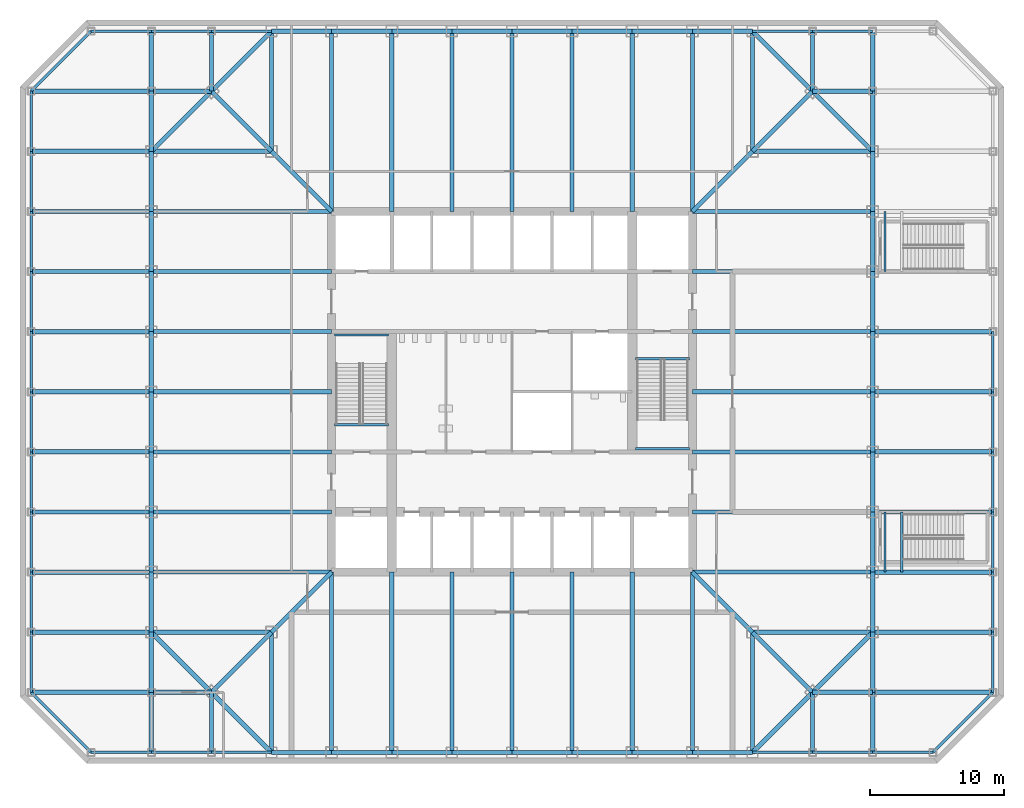
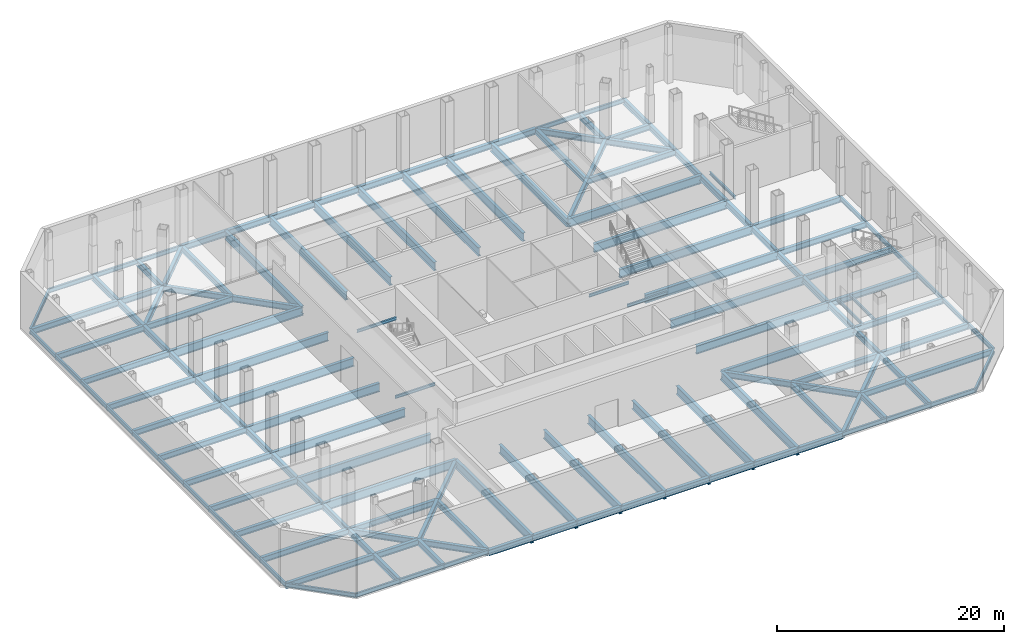
# One storey, part 4 of 12: 155 beams.
"""IFC4 building model written with IfcOpenShell, lengths in metres."""

from ifc_helpers import new_model, si_unit, direction, frame, origin, origin_2d, place, context, subcontext, project, spatial, i_section, extrude, material, material_profile, profile_set, type_object, element, save


model = new_model("IFC4")

# Units and contexts
model_context = context("Model", 3, precision=1e-05, world=origin(), true_north=direction((0.0, 1.0)))
body_context = subcontext(model_context, "Body", "Model", "MODEL_VIEW")
ifc_project = project(units=[si_unit("LENGTHUNIT", "METRE"), si_unit("AREAUNIT", "SQUARE_METRE"), si_unit("VOLUMEUNIT", "CUBIC_METRE"), si_unit("PLANEANGLEUNIT", "RADIAN"), si_unit("MASSUNIT", "GRAM", prefix="KILO")], contexts=[model_context])

# Site, building, storey
site_placement = place(None, origin())
site = spatial("IfcSite", under=ifc_project, at=site_placement, CompositionType="ELEMENT")
building_placement = place(site_placement, origin())
building = spatial("IfcBuilding", under=site, at=building_placement, Name="Corais Broadcast Tower", CompositionType="ELEMENT")
storey_placement = place(building_placement, frame((0.0, 0.0, 6.0)))
storey = spatial("IfcBuildingStorey", under=building, at=storey_placement, Name="L01", CompositionType="ELEMENT", Elevation=6.0)

# Beams
ifc_material_1 = material(Name="Steel ASTM A572 Grade 50", Category="steel")
ifc_material_profile_1 = material_profile(ifc_material_1, i_section(OverallWidth=0.323974609375, OverallDepth=0.611083984375, WebThickness=0.0126953125, FlangeThickness=0.01904296875, at=origin_2d()), Name="W610x155")
ifc_profile_set_1 = profile_set([ifc_material_profile_1], Name="Steel ASTM A572 Grade 50")
beam_type_1 = type_object("IfcBeamType", Name="Chamfer tie W610x155", PredefinedType="BEAM", material=ifc_profile_set_1)
for number, where, z_axis, x_axis, name in (
    (1, (0.0, 0.0, -0.505615234375), (0.0, 1.0, 0.0), (-1.0, 0.0, 0.0), "B5 A/3 to B/3"),
    (2, (0.0, 4.5, -0.505615234375), (0.0, 1.0, 0.0), (-1.0, 0.0, 0.0), "B5 B/3 to C/3"),
    (3, (0.0, 4.5, -0.505615234375), (1.0, 0.0, 0.0), (0.0, 1.0, 0.0), "B5 B/3 to B/4"),
    (4, (0.0, 49.5, -0.505615234375), (0.0, -1.0, 0.0), (1.0, 0.0, 0.0), "B5 M/3 to L/3"),
    (5, (0.0, 49.5, -0.505615234375), (1.0, 0.0, 0.0), (0.0, 1.0, 0.0), "B5 M/3 to M/4"),
    (6, (0.0, 54.0, -0.505615234375), (0.0, -1.0, 0.0), (1.0, 0.0, 0.0), "B5 N/3 to M/3"),
    (7, (4.5, 0.0, -0.505615234375), (0.0, 1.0, 0.0), (-1.0, 0.0, 0.0), "B5 A/4 to B/4"),
):
    element("IfcBeam", number, at=place(storey_placement, frame(where, z_axis=z_axis, x_axis=x_axis)), inside=storey, type_object=beam_type_1, Name=name, PredefinedType="BEAM", context=body_context, shape_type="SweptSolid", body=[
        extrude(i_section(OverallWidth=0.323974609375, OverallDepth=0.611083984375, WebThickness=0.0126953125, FlangeThickness=0.01904296875, at=origin_2d()), origin(), (0.0, 0.0, 1.0), 4.5),
    ])
for number, where, z_axis, x_axis, name in (
    (8, (4.5, 4.5, -0.505615234375), (0.707106781187, 0.707106781187, 0.0), (-0.707106781187, 0.707106781187, 0.0), "B5 B/4 to C/5"),
    (9, (4.5, 49.5, -0.505615234375), (0.707106781187, -0.707106781187, 0.0), (0.707106781187, 0.707106781187, 0.0), "B5 M/4 to L/5"),
):
    element("IfcBeam", number, at=place(storey_placement, frame(where, z_axis=z_axis, x_axis=x_axis)), inside=storey, type_object=beam_type_1, Name=name, PredefinedType="BEAM", context=body_context, shape_type="SweptSolid", body=[
        extrude(i_section(OverallWidth=0.323974609375, OverallDepth=0.611083984375, WebThickness=0.0126953125, FlangeThickness=0.01904296875, at=origin_2d()), origin(), (0.0, 0.0, 1.0), 6.364013671875),
    ])
for number, where, z_axis, x_axis, name in (
    (10, (4.5, 54.0, -0.505615234375), (0.0, -1.0, 0.0), (1.0, 0.0, 0.0), "B5 N/4 to M/4"),
    (11, (49.5, 0.0, -0.505615234375), (0.0, 1.0, 0.0), (-1.0, 0.0, 0.0), "B5 A/14 to B/14"),
):
    element("IfcBeam", number, at=place(storey_placement, frame(where, z_axis=z_axis, x_axis=x_axis)), inside=storey, type_object=beam_type_1, Name=name, PredefinedType="BEAM", context=body_context, shape_type="SweptSolid", body=[
        extrude(i_section(OverallWidth=0.323974609375, OverallDepth=0.611083984375, WebThickness=0.0126953125, FlangeThickness=0.01904296875, at=origin_2d()), origin(), (0.0, 0.0, 1.0), 4.5),
    ])
for number, where, z_axis, x_axis, name in (
    (12, (49.5, 4.5, -0.505615234375), (-0.707106781187, 0.707106781187, 0.0), (-0.707106781187, -0.707106781187, 0.0), "B5 B/14 to C/13"),
    (13, (49.5, 49.5, -0.505615234375), (-0.707106781187, -0.707106781187, 0.0), (0.707106781187, -0.707106781187, 0.0), "B5 M/14 to L/13"),
):
    element("IfcBeam", number, at=place(storey_placement, frame(where, z_axis=z_axis, x_axis=x_axis)), inside=storey, type_object=beam_type_1, Name=name, PredefinedType="BEAM", context=body_context, shape_type="SweptSolid", body=[
        extrude(i_section(OverallWidth=0.323974609375, OverallDepth=0.611083984375, WebThickness=0.0126953125, FlangeThickness=0.01904296875, at=origin_2d()), origin(), (0.0, 0.0, 1.0), 6.364013671875),
    ])
for number, where, z_axis, x_axis, name in (
    (14, (49.5, 54.0, -0.505615234375), (0.0, -1.0, 0.0), (1.0, 0.0, 0.0), "B5 N/14 to M/14"),
    (15, (54.0, 0.0, -0.505615234375), (0.0, 1.0, 0.0), (-1.0, 0.0, 0.0), "B5 A/15 to B/15"),
    (16, (54.0, 4.5, -0.505615234375), (-1.0, 0.0, 0.0), (0.0, -1.0, 0.0), "B5 B/15 to B/14"),
    (17, (54.0, 4.5, -0.505615234375), (0.0, 1.0, 0.0), (-1.0, 0.0, 0.0), "B5 B/15 to C/15"),
    (18, (54.0, 49.5, -0.505615234375), (-1.0, 0.0, 0.0), (0.0, -1.0, 0.0), "B5 M/15 to M/14"),
    (19, (54.0, 49.5, -0.505615234375), (0.0, -1.0, 0.0), (1.0, 0.0, 0.0), "B5 M/15 to L/15"),
    (20, (54.0, 54.0, -0.505615234375), (0.0, -1.0, 0.0), (1.0, 0.0, 0.0), "B5 N/15 to M/15"),
):
    element("IfcBeam", number, at=place(storey_placement, frame(where, z_axis=z_axis, x_axis=x_axis)), inside=storey, type_object=beam_type_1, Name=name, PredefinedType="BEAM", context=body_context, shape_type="SweptSolid", body=[
        extrude(i_section(OverallWidth=0.323974609375, OverallDepth=0.611083984375, WebThickness=0.0126953125, FlangeThickness=0.01904296875, at=origin_2d()), origin(), (0.0, 0.0, 1.0), 4.5),
    ])
ifc_material_2 = material(Name="Steel ASTM A572 Grade 50", Category="steel")
ifc_material_profile_2 = material_profile(ifc_material_2, i_section(OverallWidth=0.323974609375, OverallDepth=0.611083984375, WebThickness=0.0126953125, FlangeThickness=0.01904296875, at=origin_2d()), Name="W610x155")
ifc_profile_set_2 = profile_set([ifc_material_profile_2], Name="Steel ASTM A572 Grade 50")
beam_type_2 = type_object("IfcBeamType", Name="Corner diagonal W610x155", PredefinedType="BEAM", material=ifc_profile_set_2)
for number, where, z_axis, x_axis, name in (
    (21, (45.0, 45.0, -0.505615234375), (-0.707106781187, -0.707106781187, 0.0), (0.707106781187, -0.707106781187, 0.0), "B6 L/13 to K/12"),
    (22, (45.0, 9.0, -0.505615234375), (-0.707106781187, 0.707106781187, 0.0), (-0.707106781187, -0.707106781187, 0.0), "B6 C/13 to D/12"),
    (23, (9.0, 45.0, -0.505615234375), (0.707106781187, -0.707106781187, 0.0), (0.707106781187, 0.707106781187, 0.0), "B6 L/5 to K/6"),
    (24, (9.0, 9.0, -0.505615234375), (0.707106781187, 0.707106781187, 0.0), (-0.707106781187, 0.707106781187, 0.0), "B6 C/5 to D/6"),
):
    element("IfcBeam", number, at=place(storey_placement, frame(where, z_axis=z_axis, x_axis=x_axis)), inside=storey, type_object=beam_type_2, Name=name, PredefinedType="BEAM", context=body_context, shape_type="SweptSolid", body=[
        extrude(i_section(OverallWidth=0.323974609375, OverallDepth=0.611083984375, WebThickness=0.0126953125, FlangeThickness=0.01904296875, at=origin_2d()), origin(), (0.0, 0.0, 1.0), 6.364013671875),
    ])
ifc_material_3 = material(Name="Steel ASTM A572 Grade 50", Category="steel")
ifc_material_profile_3 = material_profile(ifc_material_3, i_section(OverallWidth=0.323974609375, OverallDepth=0.611083984375, WebThickness=0.0126953125, FlangeThickness=0.01904296875, at=origin_2d()), Name="W610x155")
ifc_profile_set_3 = profile_set([ifc_material_profile_3], Name="Steel ASTM A572 Grade 50")
beam_type_3 = type_object("IfcBeamType", Name="Corner girder W610x155", PredefinedType="BEAM", material=ifc_profile_set_3)
for number, where, z_axis, x_axis, name in (
    (25, (0.0, 45.0, -0.505615234375), (1.0, 0.0, 0.0), (0.0, 1.0, 0.0), "B4 L/3 to L/5"),
    (26, (0.0, 9.0, -0.505615234375), (1.0, 0.0, 0.0), (0.0, 1.0, 0.0), "B4 C/3 to C/5"),
    (27, (45.0, 0.0, -0.505615234375), (0.0, 1.0, 0.0), (-1.0, 0.0, 0.0), "B4 A/13 to C/13"),
    (28, (45.0, 54.0, -0.505615234375), (0.0, -1.0, 0.0), (1.0, 0.0, 0.0), "B4 N/13 to L/13"),
    (29, (54.0, 45.0, -0.505615234375), (-1.0, 0.0, 0.0), (0.0, -1.0, 0.0), "B4 L/15 to L/13"),
    (30, (54.0, 9.0, -0.505615234375), (-1.0, 0.0, 0.0), (0.0, -1.0, 0.0), "B4 C/15 to C/13"),
    (31, (9.0, 0.0, -0.505615234375), (0.0, 1.0, 0.0), (-1.0, 0.0, 0.0), "B4 A/5 to C/5"),
    (32, (9.0, 54.0, -0.505615234375), (0.0, -1.0, 0.0), (1.0, 0.0, 0.0), "B4 N/5 to L/5"),
):
    element("IfcBeam", number, at=place(storey_placement, frame(where, z_axis=z_axis, x_axis=x_axis)), inside=storey, type_object=beam_type_3, Name=name, PredefinedType="BEAM", context=body_context, shape_type="SweptSolid", body=[
        extrude(i_section(OverallWidth=0.323974609375, OverallDepth=0.611083984375, WebThickness=0.0126953125, FlangeThickness=0.01904296875, at=origin_2d()), origin(), (0.0, 0.0, 1.0), 9.0),
    ])
ifc_material_4 = material(Name="Steel ASTM A572 Grade 50", Category="steel")
ifc_material_profile_4 = material_profile(ifc_material_4, i_section(OverallWidth=0.1650390625, OverallDepth=0.31005859375, WebThickness=0.005859375, FlangeThickness=0.009765625, at=origin_2d()), Name="W310x38.7")
ifc_profile_set_4 = profile_set([ifc_material_profile_4], Name="Steel ASTM A572 Grade 50")
beam_type_4 = type_object("IfcBeamType", Name="Landing trimmer W310x38.7", PredefinedType="BEAM", material=ifc_profile_set_4)
for number, where, z_axis, x_axis, name in (
    (33, (13.699951171875, 24.52490234375, -0.35498046875), (1.0, 0.0, 0.0), (0.0, 1.0, 0.0), "LT1 stair A landing trimmer L01"),
    (34, (13.699951171875, 31.260009765625, 2.64501953125), (1.0, 0.0, 0.0), (0.0, 1.0, 0.0), "LT1 stair A half landing trimmer L01"),
    (35, (36.25, 29.47509765625, -0.35498046875), (1.0, 0.0, 0.0), (0.0, 1.0, 0.0), "LT1 stair B landing trimmer L01"),
    (36, (36.25, 22.739990234375, 2.64501953125), (1.0, 0.0, 0.0), (0.0, 1.0, 0.0), "LT1 stair B half landing trimmer L01"),
):
    element("IfcBeam", number, at=place(storey_placement, frame(where, z_axis=z_axis, x_axis=x_axis)), inside=storey, type_object=beam_type_4, Name=name, PredefinedType="BEAM", context=body_context, shape_type="SweptSolid", body=[
        extrude(i_section(OverallWidth=0.1650390625, OverallDepth=0.31005859375, WebThickness=0.005859375, FlangeThickness=0.009765625, at=origin_2d()), origin(), (0.0, 0.0, 1.0), 4.050048828125),
    ])
for number, where, z_axis, x_axis, name in (
    (37, (54.925048828125, 13.5, -0.35498046875), (0.0, 1.0, 0.0), (-1.0, 0.0, 0.0), "LT1 stair D landing trimmer L01"),
    (38, (56.175048828125, 13.5, -0.35498046875), (0.0, 1.0, 0.0), (-1.0, 0.0, 0.0), "LT1 stair D landing trimmer L01"),
    (39, (54.925048828125, 36.0, -0.35498046875), (0.0, 1.0, 0.0), (-1.0, 0.0, 0.0), "LT1 stair E landing trimmer L01"),
):
    element("IfcBeam", number, at=place(storey_placement, frame(where, z_axis=z_axis, x_axis=x_axis)), inside=storey, type_object=beam_type_4, Name=name, PredefinedType="BEAM", context=body_context, shape_type="SweptSolid", body=[
        extrude(i_section(OverallWidth=0.1650390625, OverallDepth=0.31005859375, WebThickness=0.005859375, FlangeThickness=0.009765625, at=origin_2d()), origin(), (0.0, 0.0, 1.0), 4.5),
    ])
ifc_material_5 = material(Name="Steel ASTM A572 Grade 50", Category="steel")
ifc_material_profile_5 = material_profile(ifc_material_5, i_section(OverallWidth=0.3291015625, OverallDepth=0.635009765625, WebThickness=0.017822265625, FlangeThickness=0.031005859375, at=origin_2d()), Name="W610x241")
ifc_profile_set_5 = profile_set([ifc_material_profile_5], Name="Steel ASTM A572 Grade 50")
beam_type_5 = type_object("IfcBeamType", Name="Spandrel W610x241", PredefinedType="BEAM", material=ifc_profile_set_5)
for number, where, z_axis, x_axis, name in (
    (40, (0.0, 13.5, -0.517578125), (0.0, -1.0, 0.0), (1.0, 0.0, 0.0), "SB1 D/3 to C/3"),
    (41, (0.0, 18.0, -0.517578125), (0.0, -1.0, 0.0), (1.0, 0.0, 0.0), "SB1 E/3 to D/3"),
    (42, (0.0, 22.5, -0.517578125), (0.0, -1.0, 0.0), (1.0, 0.0, 0.0), "SB1 F/3 to E/3"),
    (43, (0.0, 27.0, -0.517578125), (0.0, -1.0, 0.0), (1.0, 0.0, 0.0), "SB1 G/3 to F/3"),
    (44, (0.0, 31.5, -0.517578125), (0.0, -1.0, 0.0), (1.0, 0.0, 0.0), "SB1 H/3 to G/3"),
    (45, (0.0, 36.0, -0.517578125), (0.0, -1.0, 0.0), (1.0, 0.0, 0.0), "SB1 J/3 to H/3"),
    (46, (0.0, 40.5, -0.517578125), (0.0, -1.0, 0.0), (1.0, 0.0, 0.0), "SB1 K/3 to J/3"),
    (47, (0.0, 45.0, -0.517578125), (0.0, -1.0, 0.0), (1.0, 0.0, 0.0), "SB1 L/3 to K/3"),
):
    element("IfcBeam", number, at=place(storey_placement, frame(where, z_axis=z_axis, x_axis=x_axis)), inside=storey, type_object=beam_type_5, Name=name, PredefinedType="BEAM", context=body_context, shape_type="SweptSolid", body=[
        extrude(i_section(OverallWidth=0.3291015625, OverallDepth=0.635009765625, WebThickness=0.017822265625, FlangeThickness=0.031005859375, at=origin_2d()), origin(), (0.0, 0.0, 1.0), 4.5),
    ])
beam_1_placement = place(storey_placement, frame((0.0, 9.0, -0.517578125), z_axis=(0.707106781187, -0.707106781187, 0.0), x_axis=(0.707106781187, 0.707106781187, 0.0)))
element("IfcBeam", 48, at=beam_1_placement, inside=storey, type_object=beam_type_5, Name="SB1 C/3 to B/4", PredefinedType="BEAM", context=body_context, shape_type="SweptSolid", body=[
    extrude(i_section(OverallWidth=0.3291015625, OverallDepth=0.635009765625, WebThickness=0.017822265625, FlangeThickness=0.031005859375, at=origin_2d()), origin(), (0.0, 0.0, 1.0), 6.364013671875),
])
for number, where, z_axis, x_axis, name in (
    (49, (13.5, 0.0, -0.517578125), (1.0, 0.0, 0.0), (0.0, 1.0, 0.0), "SB1 A/6 to A/7"),
    (50, (13.5, 54.0, -0.517578125), (-1.0, 0.0, 0.0), (0.0, -1.0, 0.0), "SB1 N/6 to N/5"),
    (51, (18.0, 0.0, -0.517578125), (1.0, 0.0, 0.0), (0.0, 1.0, 0.0), "SB1 A/7 to A/8"),
    (52, (18.0, 54.0, -0.517578125), (-1.0, 0.0, 0.0), (0.0, -1.0, 0.0), "SB1 N/7 to N/6"),
    (53, (22.5, 0.0, -0.517578125), (1.0, 0.0, 0.0), (0.0, 1.0, 0.0), "SB1 A/8 to A/9"),
    (54, (22.5, 54.0, -0.517578125), (-1.0, 0.0, 0.0), (0.0, -1.0, 0.0), "SB1 N/8 to N/7"),
    (55, (27.0, 0.0, -0.517578125), (1.0, 0.0, 0.0), (0.0, 1.0, 0.0), "SB1 A/9 to A/10"),
    (56, (27.0, 54.0, -0.517578125), (-1.0, 0.0, 0.0), (0.0, -1.0, 0.0), "SB1 N/9 to N/8"),
    (57, (31.5, 0.0, -0.517578125), (1.0, 0.0, 0.0), (0.0, 1.0, 0.0), "SB1 A/10 to A/11"),
    (58, (31.5, 54.0, -0.517578125), (-1.0, 0.0, 0.0), (0.0, -1.0, 0.0), "SB1 N/10 to N/9"),
    (59, (36.0, 0.0, -0.517578125), (1.0, 0.0, 0.0), (0.0, 1.0, 0.0), "SB1 A/11 to A/12"),
    (60, (36.0, 54.0, -0.517578125), (-1.0, 0.0, 0.0), (0.0, -1.0, 0.0), "SB1 N/11 to N/10"),
):
    element("IfcBeam", number, at=place(storey_placement, frame(where, z_axis=z_axis, x_axis=x_axis)), inside=storey, type_object=beam_type_5, Name=name, PredefinedType="BEAM", context=body_context, shape_type="SweptSolid", body=[
        extrude(i_section(OverallWidth=0.3291015625, OverallDepth=0.635009765625, WebThickness=0.017822265625, FlangeThickness=0.031005859375, at=origin_2d()), origin(), (0.0, 0.0, 1.0), 4.5),
    ])
for number, where, z_axis, x_axis, name in (
    (61, (4.5, 4.5, -0.517578125), (0.707106781187, -0.707106781187, 0.0), (0.707106781187, 0.707106781187, 0.0), "SB1 B/4 to A/5"),
    (62, (4.5, 49.5, -0.517578125), (-0.707106781187, -0.707106781187, 0.0), (0.707106781187, -0.707106781187, 0.0), "SB1 M/4 to L/3"),
):
    element("IfcBeam", number, at=place(storey_placement, frame(where, z_axis=z_axis, x_axis=x_axis)), inside=storey, type_object=beam_type_5, Name=name, PredefinedType="BEAM", context=body_context, shape_type="SweptSolid", body=[
        extrude(i_section(OverallWidth=0.3291015625, OverallDepth=0.635009765625, WebThickness=0.017822265625, FlangeThickness=0.031005859375, at=origin_2d()), origin(), (0.0, 0.0, 1.0), 6.364013671875),
    ])
for number, where, z_axis, x_axis, name in (
    (63, (40.5, 0.0, -0.517578125), (1.0, 0.0, 0.0), (0.0, 1.0, 0.0), "SB1 A/12 to A/13"),
    (64, (40.5, 54.0, -0.517578125), (-1.0, 0.0, 0.0), (0.0, -1.0, 0.0), "SB1 N/12 to N/11"),
):
    element("IfcBeam", number, at=place(storey_placement, frame(where, z_axis=z_axis, x_axis=x_axis)), inside=storey, type_object=beam_type_5, Name=name, PredefinedType="BEAM", context=body_context, shape_type="SweptSolid", body=[
        extrude(i_section(OverallWidth=0.3291015625, OverallDepth=0.635009765625, WebThickness=0.017822265625, FlangeThickness=0.031005859375, at=origin_2d()), origin(), (0.0, 0.0, 1.0), 4.5),
    ])
beam_2_placement = place(storey_placement, frame((45.0, 0.0, -0.517578125), z_axis=(0.707106781187, 0.707106781187, 0.0), x_axis=(-0.707106781187, 0.707106781187, 0.0)))
element("IfcBeam", 65, at=beam_2_placement, inside=storey, type_object=beam_type_5, Name="SB1 A/13 to B/14", PredefinedType="BEAM", context=body_context, shape_type="SweptSolid", body=[
    extrude(i_section(OverallWidth=0.3291015625, OverallDepth=0.635009765625, WebThickness=0.017822265625, FlangeThickness=0.031005859375, at=origin_2d()), origin(), (0.0, 0.0, 1.0), 6.364013671875),
])
beam_3_placement = place(storey_placement, frame((45.0, 54.0, -0.517578125), z_axis=(-1.0, 0.0, 0.0), x_axis=(0.0, -1.0, 0.0)))
element("IfcBeam", 66, at=beam_3_placement, inside=storey, type_object=beam_type_5, Name="SB1 N/13 to N/12", PredefinedType="BEAM", context=body_context, shape_type="SweptSolid", body=[
    extrude(i_section(OverallWidth=0.3291015625, OverallDepth=0.635009765625, WebThickness=0.017822265625, FlangeThickness=0.031005859375, at=origin_2d()), origin(), (0.0, 0.0, 1.0), 4.5),
])
for number, where, z_axis, x_axis, name in (
    (67, (49.5, 4.5, -0.517578125), (0.707106781187, 0.707106781187, 0.0), (-0.707106781187, 0.707106781187, 0.0), "SB1 B/14 to C/15"),
    (68, (49.5, 49.5, -0.517578125), (-0.707106781187, 0.707106781187, 0.0), (-0.707106781187, -0.707106781187, 0.0), "SB1 M/14 to N/13"),
):
    element("IfcBeam", number, at=place(storey_placement, frame(where, z_axis=z_axis, x_axis=x_axis)), inside=storey, type_object=beam_type_5, Name=name, PredefinedType="BEAM", context=body_context, shape_type="SweptSolid", body=[
        extrude(i_section(OverallWidth=0.3291015625, OverallDepth=0.635009765625, WebThickness=0.017822265625, FlangeThickness=0.031005859375, at=origin_2d()), origin(), (0.0, 0.0, 1.0), 6.364013671875),
    ])
for number, where, z_axis, x_axis, name in (
    (69, (54.0, 13.5, -0.517578125), (0.0, 1.0, 0.0), (-1.0, 0.0, 0.0), "SB1 D/15 to E/15"),
    (70, (54.0, 18.0, -0.517578125), (0.0, 1.0, 0.0), (-1.0, 0.0, 0.0), "SB1 E/15 to F/15"),
    (71, (54.0, 22.5, -0.517578125), (0.0, 1.0, 0.0), (-1.0, 0.0, 0.0), "SB1 F/15 to G/15"),
    (72, (54.0, 27.0, -0.517578125), (0.0, 1.0, 0.0), (-1.0, 0.0, 0.0), "SB1 G/15 to H/15"),
    (73, (54.0, 31.5, -0.517578125), (0.0, 1.0, 0.0), (-1.0, 0.0, 0.0), "SB1 H/15 to J/15"),
    (74, (54.0, 36.0, -0.517578125), (0.0, 1.0, 0.0), (-1.0, 0.0, 0.0), "SB1 J/15 to K/15"),
    (75, (54.0, 40.5, -0.517578125), (0.0, 1.0, 0.0), (-1.0, 0.0, 0.0), "SB1 K/15 to L/15"),
):
    element("IfcBeam", number, at=place(storey_placement, frame(where, z_axis=z_axis, x_axis=x_axis)), inside=storey, type_object=beam_type_5, Name=name, PredefinedType="BEAM", context=body_context, shape_type="SweptSolid", body=[
        extrude(i_section(OverallWidth=0.3291015625, OverallDepth=0.635009765625, WebThickness=0.017822265625, FlangeThickness=0.031005859375, at=origin_2d()), origin(), (0.0, 0.0, 1.0), 4.5),
    ])
beam_4_placement = place(storey_placement, frame((54.0, 45.0, -0.517578125), z_axis=(-0.707106781187, 0.707106781187, 0.0), x_axis=(-0.707106781187, -0.707106781187, 0.0)))
element("IfcBeam", 76, at=beam_4_placement, inside=storey, type_object=beam_type_5, Name="SB1 L/15 to M/14", PredefinedType="BEAM", context=body_context, shape_type="SweptSolid", body=[
    extrude(i_section(OverallWidth=0.3291015625, OverallDepth=0.635009765625, WebThickness=0.017822265625, FlangeThickness=0.031005859375, at=origin_2d()), origin(), (0.0, 0.0, 1.0), 6.364013671875),
])
for number, where, z_axis, x_axis, name in (
    (77, (54.0, 9.0, -0.517578125), (0.0, 1.0, 0.0), (-1.0, 0.0, 0.0), "SB1 C/15 to D/15"),
    (78, (9.0, 0.0, -0.517578125), (1.0, 0.0, 0.0), (0.0, 1.0, 0.0), "SB1 A/5 to A/6"),
):
    element("IfcBeam", number, at=place(storey_placement, frame(where, z_axis=z_axis, x_axis=x_axis)), inside=storey, type_object=beam_type_5, Name=name, PredefinedType="BEAM", context=body_context, shape_type="SweptSolid", body=[
        extrude(i_section(OverallWidth=0.3291015625, OverallDepth=0.635009765625, WebThickness=0.017822265625, FlangeThickness=0.031005859375, at=origin_2d()), origin(), (0.0, 0.0, 1.0), 4.5),
    ])
beam_5_placement = place(storey_placement, frame((9.0, 54.0, -0.517578125), z_axis=(-0.707106781187, -0.707106781187, 0.0), x_axis=(0.707106781187, -0.707106781187, 0.0)))
element("IfcBeam", 79, at=beam_5_placement, inside=storey, type_object=beam_type_5, Name="SB1 N/5 to M/4", PredefinedType="BEAM", context=body_context, shape_type="SweptSolid", body=[
    extrude(i_section(OverallWidth=0.3291015625, OverallDepth=0.635009765625, WebThickness=0.017822265625, FlangeThickness=0.031005859375, at=origin_2d()), origin(), (0.0, 0.0, 1.0), 6.364013671875),
])
ifc_material_6 = material(Name="Steel ASTM A572 Grade 50", Category="steel")
ifc_material_profile_6 = material_profile(ifc_material_6, i_section(OverallWidth=0.305908203125, OverallDepth=0.9189453125, WebThickness=0.017333984375, FlangeThickness=0.02783203125, at=origin_2d()), Name="W920x253")
ifc_profile_set_6 = profile_set([ifc_material_profile_6], Name="Steel ASTM A572 Grade 50")
beam_type_6 = type_object("IfcBeamType", Name="Studio floor beam W920x253", PredefinedType="BEAM", material=ifc_profile_set_6)
for number, where, z_axis, x_axis, name in (
    (80, (0.0, 13.5, -0.659423828125), (1.0, 0.0, 0.0), (0.0, 1.0, 0.0), "B18 D/3 to D/6"),
    (81, (0.0, 18.0, -0.659423828125), (1.0, 0.0, 0.0), (0.0, 1.0, 0.0), "B18 E/3 to E/6"),
    (82, (0.0, 22.5, -0.659423828125), (1.0, 0.0, 0.0), (0.0, 1.0, 0.0), "B18 F/3 to F/6"),
    (83, (0.0, 27.0, -0.659423828125), (1.0, 0.0, 0.0), (0.0, 1.0, 0.0), "B18 G/3 to G/6"),
    (84, (0.0, 31.5, -0.659423828125), (1.0, 0.0, 0.0), (0.0, 1.0, 0.0), "B18 H/3 to H/6"),
    (85, (0.0, 36.0, -0.659423828125), (1.0, 0.0, 0.0), (0.0, 1.0, 0.0), "B18 J/3 to J/6"),
    (86, (0.0, 40.5, -0.659423828125), (1.0, 0.0, 0.0), (0.0, 1.0, 0.0), "B18 K/3 to K/6"),
    (87, (13.5, 0.0, -0.659423828125), (0.0, 1.0, 0.0), (-1.0, 0.0, 0.0), "B18 A/6 to D/6"),
    (88, (13.5, 54.0, -0.659423828125), (0.0, -1.0, 0.0), (1.0, 0.0, 0.0), "B18 N/6 to K/6"),
    (89, (18.0, 0.0, -0.659423828125), (0.0, 1.0, 0.0), (-1.0, 0.0, 0.0), "B18 A/7 to D/7"),
    (90, (18.0, 54.0, -0.659423828125), (0.0, -1.0, 0.0), (1.0, 0.0, 0.0), "B18 N/7 to K/7"),
    (91, (22.5, 0.0, -0.659423828125), (0.0, 1.0, 0.0), (-1.0, 0.0, 0.0), "B18 A/8 to D/8"),
    (92, (22.5, 54.0, -0.659423828125), (0.0, -1.0, 0.0), (1.0, 0.0, 0.0), "B18 N/8 to K/8"),
    (93, (27.0, 0.0, -0.659423828125), (0.0, 1.0, 0.0), (-1.0, 0.0, 0.0), "B18 A/9 to D/9"),
    (94, (27.0, 54.0, -0.659423828125), (0.0, -1.0, 0.0), (1.0, 0.0, 0.0), "B18 N/9 to K/9"),
    (95, (31.5, 0.0, -0.659423828125), (0.0, 1.0, 0.0), (-1.0, 0.0, 0.0), "B18 A/10 to D/10"),
    (96, (31.5, 54.0, -0.659423828125), (0.0, -1.0, 0.0), (1.0, 0.0, 0.0), "B18 N/10 to K/10"),
    (97, (36.0, 0.0, -0.659423828125), (0.0, 1.0, 0.0), (-1.0, 0.0, 0.0), "B18 A/11 to D/11"),
    (98, (36.0, 54.0, -0.659423828125), (0.0, -1.0, 0.0), (1.0, 0.0, 0.0), "B18 N/11 to K/11"),
    (99, (40.5, 0.0, -0.659423828125), (0.0, 1.0, 0.0), (-1.0, 0.0, 0.0), "B18 A/12 to D/12"),
    (100, (40.5, 54.0, -0.659423828125), (0.0, -1.0, 0.0), (1.0, 0.0, 0.0), "B18 N/12 to K/12"),
    (101, (54.0, 13.5, -0.659423828125), (-1.0, 0.0, 0.0), (0.0, -1.0, 0.0), "B18 D/15 to D/12"),
    (102, (54.0, 18.0, -0.659423828125), (-1.0, 0.0, 0.0), (0.0, -1.0, 0.0), "B18 E/15 to E/12"),
    (103, (54.0, 22.5, -0.659423828125), (-1.0, 0.0, 0.0), (0.0, -1.0, 0.0), "B18 F/15 to F/12"),
    (104, (54.0, 27.0, -0.659423828125), (-1.0, 0.0, 0.0), (0.0, -1.0, 0.0), "B18 G/15 to G/12"),
    (105, (54.0, 31.5, -0.659423828125), (-1.0, 0.0, 0.0), (0.0, -1.0, 0.0), "B18 H/15 to H/12"),
    (106, (54.0, 36.0, -0.659423828125), (-1.0, 0.0, 0.0), (0.0, -1.0, 0.0), "B18 J/15 to J/12"),
    (107, (54.0, 40.5, -0.659423828125), (-1.0, 0.0, 0.0), (0.0, -1.0, 0.0), "B18 K/15 to K/12"),
):
    element("IfcBeam", number, at=place(storey_placement, frame(where, z_axis=z_axis, x_axis=x_axis)), inside=storey, type_object=beam_type_6, Name=name, PredefinedType="BEAM", context=body_context, shape_type="SweptSolid", body=[
        extrude(i_section(OverallWidth=0.305908203125, OverallDepth=0.9189453125, WebThickness=0.017333984375, FlangeThickness=0.02783203125, at=origin_2d()), origin(), (0.0, 0.0, 1.0), 13.5),
    ])
ifc_material_7 = material(Name="Steel ASTM A572 Grade 50", Category="steel")
ifc_material_profile_7 = material_profile(ifc_material_7, i_section(OverallWidth=0.18994140625, OverallDepth=0.45703125, WebThickness=0.009033203125, FlangeThickness=0.014404296875, at=origin_2d()), Name="W460x74")
ifc_profile_set_7 = profile_set([ifc_material_profile_7], Name="Steel ASTM A572 Grade 50")
beam_type_7 = type_object("IfcBeamType", Name="Wing edge beam W460x74", PredefinedType="BEAM", material=ifc_profile_set_7)
beam_6_placement = place(storey_placement, frame((-4.5, 0.0, -0.428466796875), z_axis=(1.0, 0.0, 0.0), x_axis=(0.0, 1.0, 0.0)))
element("IfcBeam", 108, at=beam_6_placement, inside=storey, type_object=beam_type_7, Name="B7 A/2 to A/3", PredefinedType="BEAM", context=body_context, shape_type="SweptSolid", body=[
    extrude(i_section(OverallWidth=0.18994140625, OverallDepth=0.45703125, WebThickness=0.009033203125, FlangeThickness=0.014404296875, at=origin_2d()), origin(), (0.0, 0.0, 1.0), 4.5),
])
beam_7_placement = place(storey_placement, frame((-4.5, 54.0, -0.428466796875), z_axis=(-0.707106781187, -0.707106781187, 0.0), x_axis=(0.707106781187, -0.707106781187, 0.0)))
element("IfcBeam", 109, at=beam_7_placement, inside=storey, type_object=beam_type_7, Name="B7 N/2 to M/1", PredefinedType="BEAM", context=body_context, shape_type="SweptSolid", body=[
    extrude(i_section(OverallWidth=0.18994140625, OverallDepth=0.45703125, WebThickness=0.009033203125, FlangeThickness=0.014404296875, at=origin_2d()), origin(), (0.0, 0.0, 1.0), 6.364013671875),
])
for number, where, z_axis, x_axis, name in (
    (110, (-9.0, 13.5, -0.428466796875), (0.0, -1.0, 0.0), (1.0, 0.0, 0.0), "B7 D/1 to C/1"),
    (111, (-9.0, 18.0, -0.428466796875), (0.0, -1.0, 0.0), (1.0, 0.0, 0.0), "B7 E/1 to D/1"),
    (112, (-9.0, 22.5, -0.428466796875), (0.0, -1.0, 0.0), (1.0, 0.0, 0.0), "B7 F/1 to E/1"),
    (113, (-9.0, 27.0, -0.428466796875), (0.0, -1.0, 0.0), (1.0, 0.0, 0.0), "B7 G/1 to F/1"),
    (114, (-9.0, 31.5, -0.428466796875), (0.0, -1.0, 0.0), (1.0, 0.0, 0.0), "B7 H/1 to G/1"),
    (115, (-9.0, 36.0, -0.428466796875), (0.0, -1.0, 0.0), (1.0, 0.0, 0.0), "B7 J/1 to H/1"),
):
    element("IfcBeam", number, at=place(storey_placement, frame(where, z_axis=z_axis, x_axis=x_axis)), inside=storey, type_object=beam_type_7, Name=name, PredefinedType="BEAM", context=body_context, shape_type="SweptSolid", body=[
        extrude(i_section(OverallWidth=0.18994140625, OverallDepth=0.45703125, WebThickness=0.009033203125, FlangeThickness=0.014404296875, at=origin_2d()), origin(), (0.0, 0.0, 1.0), 4.5),
    ])
beam_8_placement = place(storey_placement, frame((-9.0, 4.5, -0.428466796875), z_axis=(0.707106781187, -0.707106781187, 0.0), x_axis=(0.707106781187, 0.707106781187, 0.0)))
element("IfcBeam", 116, at=beam_8_placement, inside=storey, type_object=beam_type_7, Name="B7 B/1 to A/2", PredefinedType="BEAM", context=body_context, shape_type="SweptSolid", body=[
    extrude(i_section(OverallWidth=0.18994140625, OverallDepth=0.45703125, WebThickness=0.009033203125, FlangeThickness=0.014404296875, at=origin_2d()), origin(), (0.0, 0.0, 1.0), 6.364013671875),
])
for number, where, z_axis, x_axis, name in (
    (117, (-9.0, 40.5, -0.428466796875), (0.0, -1.0, 0.0), (1.0, 0.0, 0.0), "B7 K/1 to J/1"),
    (118, (-9.0, 45.0, -0.428466796875), (0.0, -1.0, 0.0), (1.0, 0.0, 0.0), "B7 L/1 to K/1"),
    (119, (-9.0, 49.5, -0.428466796875), (0.0, -1.0, 0.0), (1.0, 0.0, 0.0), "B7 M/1 to L/1"),
    (120, (-9.0, 9.0, -0.428466796875), (0.0, -1.0, 0.0), (1.0, 0.0, 0.0), "B7 C/1 to B/1"),
    (121, (0.0, 0.0, -0.428466796875), (1.0, 0.0, 0.0), (0.0, 1.0, 0.0), "B7 A/3 to A/4"),
    (122, (0.0, 54.0, -0.428466796875), (-1.0, 0.0, 0.0), (0.0, -1.0, 0.0), "B7 N/3 to N/2"),
    (123, (4.5, 0.0, -0.428466796875), (1.0, 0.0, 0.0), (0.0, 1.0, 0.0), "B7 A/4 to A/5"),
    (124, (4.5, 54.0, -0.428466796875), (-1.0, 0.0, 0.0), (0.0, -1.0, 0.0), "B7 N/4 to N/3"),
    (125, (45.0, 0.0, -0.428466796875), (1.0, 0.0, 0.0), (0.0, 1.0, 0.0), "B7 A/13 to A/14"),
    (126, (49.5, 0.0, -0.428466796875), (1.0, 0.0, 0.0), (0.0, 1.0, 0.0), "B7 A/14 to A/15"),
    (127, (49.5, 54.0, -0.428466796875), (-1.0, 0.0, 0.0), (0.0, -1.0, 0.0), "B7 N/14 to N/13"),
    (128, (54.0, 0.0, -0.428466796875), (1.0, 0.0, 0.0), (0.0, 1.0, 0.0), "B7 A/15 to A/16"),
    (129, (54.0, 54.0, -0.428466796875), (-1.0, 0.0, 0.0), (0.0, -1.0, 0.0), "B7 N/15 to N/14"),
):
    element("IfcBeam", number, at=place(storey_placement, frame(where, z_axis=z_axis, x_axis=x_axis)), inside=storey, type_object=beam_type_7, Name=name, PredefinedType="BEAM", context=body_context, shape_type="SweptSolid", body=[
        extrude(i_section(OverallWidth=0.18994140625, OverallDepth=0.45703125, WebThickness=0.009033203125, FlangeThickness=0.014404296875, at=origin_2d()), origin(), (0.0, 0.0, 1.0), 4.5),
    ])
beam_9_placement = place(storey_placement, frame((58.5, 0.0, -0.428466796875), z_axis=(0.707106781187, 0.707106781187, 0.0), x_axis=(-0.707106781187, 0.707106781187, 0.0)))
element("IfcBeam", 130, at=beam_9_placement, inside=storey, type_object=beam_type_7, Name="B7 A/16 to B/17", PredefinedType="BEAM", context=body_context, shape_type="SweptSolid", body=[
    extrude(i_section(OverallWidth=0.18994140625, OverallDepth=0.45703125, WebThickness=0.009033203125, FlangeThickness=0.014404296875, at=origin_2d()), origin(), (0.0, 0.0, 1.0), 6.364013671875),
])
for number, where, z_axis, x_axis, name in (
    (131, (63.0, 13.5, -0.428466796875), (0.0, 1.0, 0.0), (-1.0, 0.0, 0.0), "B7 D/17 to E/17"),
    (132, (63.0, 18.0, -0.428466796875), (0.0, 1.0, 0.0), (-1.0, 0.0, 0.0), "B7 E/17 to F/17"),
    (133, (63.0, 22.5, -0.428466796875), (0.0, 1.0, 0.0), (-1.0, 0.0, 0.0), "B7 F/17 to G/17"),
    (134, (63.0, 27.0, -0.428466796875), (0.0, 1.0, 0.0), (-1.0, 0.0, 0.0), "B7 G/17 to H/17"),
    (135, (63.0, 4.5, -0.428466796875), (0.0, 1.0, 0.0), (-1.0, 0.0, 0.0), "B7 B/17 to C/17"),
    (136, (63.0, 9.0, -0.428466796875), (0.0, 1.0, 0.0), (-1.0, 0.0, 0.0), "B7 C/17 to D/17"),
    (137, (9.0, 54.0, -0.428466796875), (-1.0, 0.0, 0.0), (0.0, -1.0, 0.0), "B7 N/5 to N/4"),
):
    element("IfcBeam", number, at=place(storey_placement, frame(where, z_axis=z_axis, x_axis=x_axis)), inside=storey, type_object=beam_type_7, Name=name, PredefinedType="BEAM", context=body_context, shape_type="SweptSolid", body=[
        extrude(i_section(OverallWidth=0.18994140625, OverallDepth=0.45703125, WebThickness=0.009033203125, FlangeThickness=0.014404296875, at=origin_2d()), origin(), (0.0, 0.0, 1.0), 4.5),
    ])
ifc_material_8 = material(Name="Steel ASTM A572 Grade 50", Category="steel")
ifc_material_profile_8 = material_profile(ifc_material_8, i_section(OverallWidth=0.323974609375, OverallDepth=0.611083984375, WebThickness=0.0126953125, FlangeThickness=0.01904296875, at=origin_2d()), Name="W610x155")
ifc_profile_set_8 = profile_set([ifc_material_profile_8], Name="Steel ASTM A572 Grade 50")
beam_type_8 = type_object("IfcBeamType", Name="Wing girder W610x155", PredefinedType="BEAM", material=ifc_profile_set_8)
for number, where, z_axis, x_axis, name in (
    (138, (-9.0, 13.5, -0.505615234375), (1.0, 0.0, 0.0), (0.0, 1.0, 0.0), "B11 D/1 to D/3"),
    (139, (-9.0, 18.0, -0.505615234375), (1.0, 0.0, 0.0), (0.0, 1.0, 0.0), "B11 E/1 to E/3"),
    (140, (-9.0, 22.5, -0.505615234375), (1.0, 0.0, 0.0), (0.0, 1.0, 0.0), "B11 F/1 to F/3"),
    (141, (-9.0, 27.0, -0.505615234375), (1.0, 0.0, 0.0), (0.0, 1.0, 0.0), "B11 G/1 to G/3"),
    (142, (-9.0, 31.5, -0.505615234375), (1.0, 0.0, 0.0), (0.0, 1.0, 0.0), "B11 H/1 to H/3"),
    (143, (-9.0, 36.0, -0.505615234375), (1.0, 0.0, 0.0), (0.0, 1.0, 0.0), "B11 J/1 to J/3"),
    (144, (-9.0, 4.5, -0.505615234375), (1.0, 0.0, 0.0), (0.0, 1.0, 0.0), "B11 B/1 to B/3"),
    (145, (-9.0, 40.5, -0.505615234375), (1.0, 0.0, 0.0), (0.0, 1.0, 0.0), "B11 K/1 to K/3"),
    (146, (-9.0, 45.0, -0.505615234375), (1.0, 0.0, 0.0), (0.0, 1.0, 0.0), "B11 L/1 to L/3"),
    (147, (-9.0, 49.5, -0.505615234375), (1.0, 0.0, 0.0), (0.0, 1.0, 0.0), "B11 M/1 to M/3"),
    (148, (-9.0, 9.0, -0.505615234375), (1.0, 0.0, 0.0), (0.0, 1.0, 0.0), "B11 C/1 to C/3"),
    (149, (54.0, 13.5, -0.505615234375), (1.0, 0.0, 0.0), (0.0, 1.0, 0.0), "B11 D/15 to D/17"),
    (150, (54.0, 18.0, -0.505615234375), (1.0, 0.0, 0.0), (0.0, 1.0, 0.0), "B11 E/15 to E/17"),
    (151, (54.0, 22.5, -0.505615234375), (1.0, 0.0, 0.0), (0.0, 1.0, 0.0), "B11 F/15 to F/17"),
    (152, (54.0, 27.0, -0.505615234375), (1.0, 0.0, 0.0), (0.0, 1.0, 0.0), "B11 G/15 to G/17"),
    (153, (54.0, 31.5, -0.505615234375), (1.0, 0.0, 0.0), (0.0, 1.0, 0.0), "B11 H/15 to H/17"),
    (154, (54.0, 4.5, -0.505615234375), (1.0, 0.0, 0.0), (0.0, 1.0, 0.0), "B11 B/15 to B/17"),
    (155, (54.0, 9.0, -0.505615234375), (1.0, 0.0, 0.0), (0.0, 1.0, 0.0), "B11 C/15 to C/17"),
):
    element("IfcBeam", number, at=place(storey_placement, frame(where, z_axis=z_axis, x_axis=x_axis)), inside=storey, type_object=beam_type_8, Name=name, PredefinedType="BEAM", context=body_context, shape_type="SweptSolid", body=[
        extrude(i_section(OverallWidth=0.323974609375, OverallDepth=0.611083984375, WebThickness=0.0126953125, FlangeThickness=0.01904296875, at=origin_2d()), origin(), (0.0, 0.0, 1.0), 9.0),
    ])

save(model, "model.ifc")
